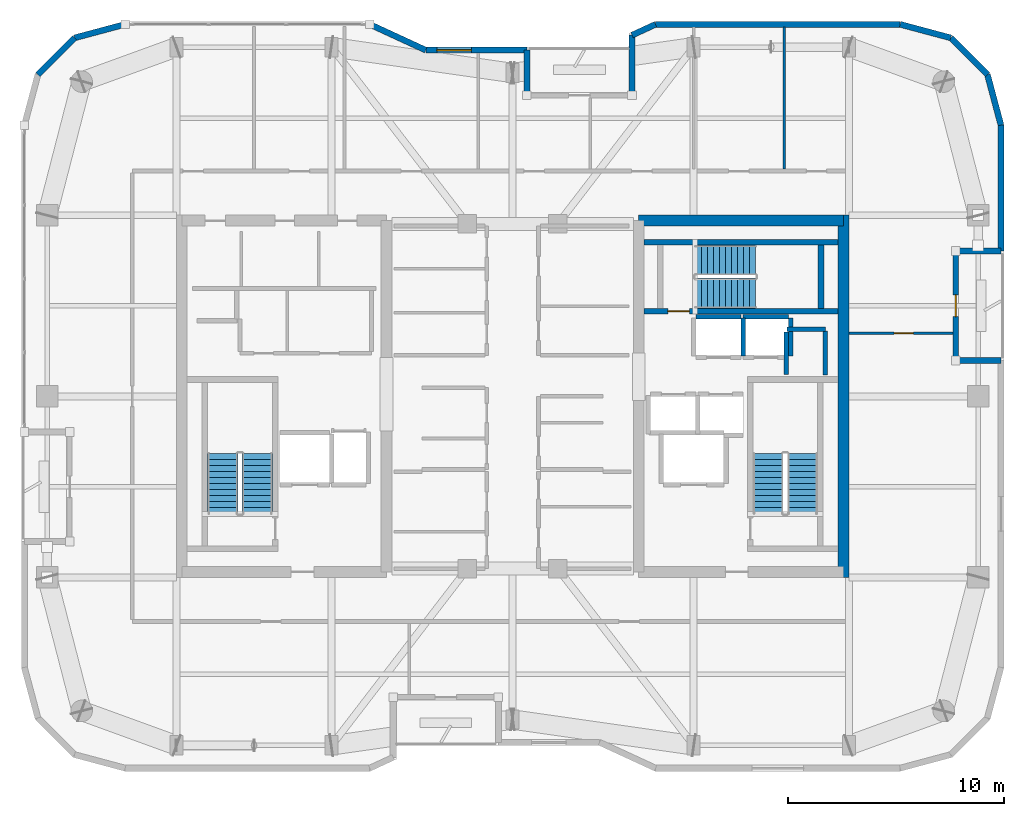
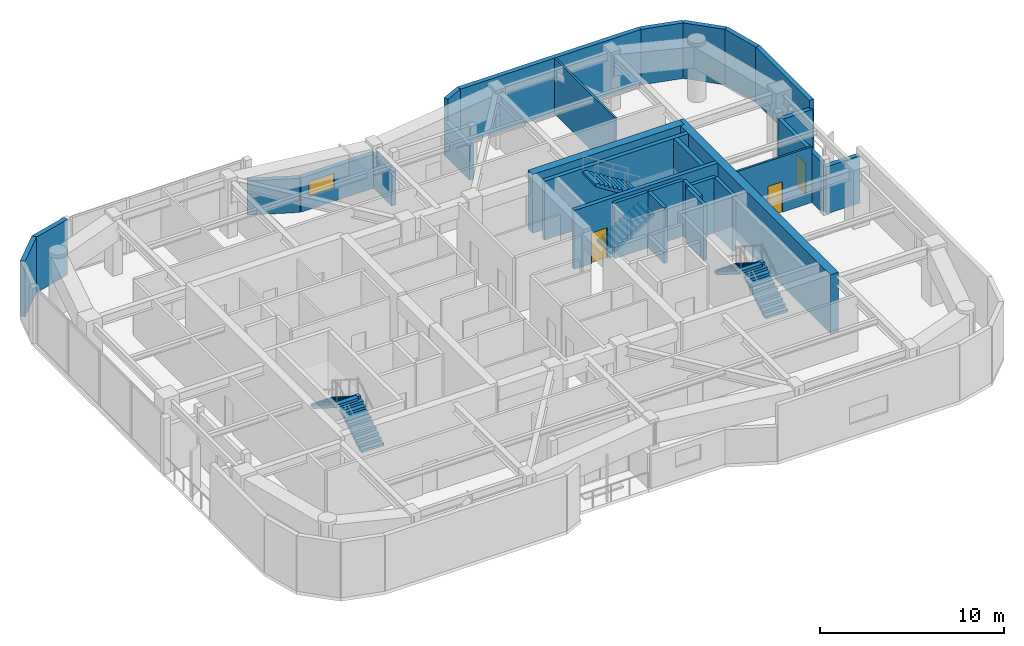
# One storey, part 13 of 15: 29 walls, 6 stair flights, 3 doors, 1 window, 4 openings, 3 elements without a shape of their own.
"""IFC4 building model written with IfcOpenShell, lengths in metres."""

import ifcopenshell
import ifcopenshell.guid

model = None  # the IFC model being written
_history = None  # IfcOwnerHistory: only IFC2X3 demands one
_inside = {}  # id of a spatial element -> (the spatial element, [elements in it])
_under = {}  # id of a project, library or spatial element -> (it, [spatial elements below it])
_declared = {}  # id of a project -> (the project, [libraries it declares])
_typed = {}  # id of a type object -> (the type object, [elements of that type])
_made_of = {}  # id of a material, layer set ... -> (it, [elements and type objects made of it])


def new_model(schema):
    """Start an empty IFC model of exactly this schema.

    Asked for "IFC4X3", IfcOpenShell would pick the latest addendum, in which some entities
    have other attributes; the version numbers below select the first issue.
    IFC2X3 requires an IfcOwnerHistory on every rooted entity: one is made here for all.
    """
    global model, _history
    if schema == "IFC4X3":
        model = ifcopenshell.file(schema_version=(4, 3, 0, 0))
    else:
        model = ifcopenshell.file(schema=schema)
    _inside.clear()
    _under.clear()
    _declared.clear()
    _typed.clear()
    _made_of.clear()
    _history = None
    if model.schema == "IFC2X3":
        org = make("IfcOrganization", Name="unknown")
        user = make(
            "IfcPersonAndOrganization",
            ThePerson=make("IfcPerson", FamilyName="unknown"),
            TheOrganization=org,
        )
        app = make(
            "IfcApplication",
            ApplicationDeveloper=org,
            Version="unknown",
            ApplicationFullName="unknown",
            ApplicationIdentifier="unknown",
        )
        _history = make(
            "IfcOwnerHistory",
            OwningUser=user,
            OwningApplication=app,
            ChangeAction="ADDED",
            CreationDate=0,
        )
    return model


def make(cls, **values):
    """One entity of the class cls with the attributes given. An attribute that is None is left unset."""
    return model.create_entity(
        cls, **{name: value for name, value in values.items() if value is not None}
    )


def rooted(cls, **values):
    """An entity with a GlobalId (a new one), such as an element, a storey or a relation."""
    return make(cls, GlobalId=ifcopenshell.guid.new(), OwnerHistory=_history, **values)


def si_unit(unit_type, name, prefix=None):
    """IfcSIUnit, for example si_unit("LENGTHUNIT", "METRE", prefix="MILLI")."""
    return make("IfcSIUnit", UnitType=unit_type, Prefix=prefix, Name=name)


def assignment(units):
    """IfcUnitAssignment: the units of a project."""
    return None if units is None else make("IfcUnitAssignment", Units=units)


def point(xyz):
    """IfcCartesianPoint."""
    return None if xyz is None else make("IfcCartesianPoint", Coordinates=xyz)


def direction(xyz):
    """IfcDirection."""
    return None if xyz is None else make("IfcDirection", DirectionRatios=xyz)


def frame(location, z_axis=None, x_axis=None):
    """IfcAxis2Placement3D, a coordinate frame: its origin and axes. An axis left out is left unset."""
    return make(
        "IfcAxis2Placement3D",
        Location=point(location),
        Axis=direction(z_axis),
        RefDirection=direction(x_axis),
    )


def frame_2d(location, x_axis=None):
    """IfcAxis2Placement2D, a coordinate frame in the plane: its origin and x axis."""
    return make(
        "IfcAxis2Placement2D", Location=point(location), RefDirection=direction(x_axis)
    )


def origin():
    """The frame at (0, 0, 0) with its axes left unset."""
    return frame((0.0, 0.0, 0.0))


def place(relative_to, where):
    """IfcLocalPlacement: puts the frame where relative to a parent placement (None: the world)."""
    return make(
        "IfcLocalPlacement", PlacementRelTo=relative_to, RelativePlacement=where
    )


def context(
    kind, dimensions, precision=None, world=None, true_north=None, identifier=None
):
    """IfcGeometricRepresentationContext, for example the 3D "Model" context."""
    return make(
        "IfcGeometricRepresentationContext",
        ContextIdentifier=identifier,
        ContextType=kind,
        CoordinateSpaceDimension=dimensions,
        Precision=precision,
        WorldCoordinateSystem=world,
        TrueNorth=true_north,
    )


def subcontext(parent, identifier, kind, view, scale=None):
    """IfcGeometricRepresentationSubContext, for example "Body" below "Model"."""
    return make(
        "IfcGeometricRepresentationSubContext",
        ContextIdentifier=identifier,
        ContextType=kind,
        ParentContext=parent,
        TargetScale=scale,
        TargetView=view,
    )


def project(units=None, contexts=None):
    """IfcProject with its units and contexts."""
    return rooted(
        "IfcProject",
        Name="project",
        RepresentationContexts=contexts,
        UnitsInContext=assignment(units),
    )


def spatial(cls, under=None, at=None, **own):
    """A site, building, storey or space (cls), placed at a placement, below another one or the project."""
    s = rooted(cls, ObjectPlacement=at, **own)
    if under is not None:
        _under.setdefault(under.id(), (under, []))[1].append(s)
    return s


def polyline(points):
    """IfcPolyline through the points."""
    return make("IfcPolyline", Points=[point(p) for p in points])


def profile(cls, at=None, kind="AREA", **sizes):
    """A parametric profile (cls). Its sizes go by their IFC names, for example OverallWidth=200.0."""
    return make(cls, ProfileType=kind, Position=at, **sizes)


def rectangle(**sizes):
    """IfcRectangleProfileDef."""
    return profile("IfcRectangleProfileDef", **sizes)


def outline(outer, holes=None, kind="AREA"):
    """IfcArbitraryClosedProfileDef: a profile drawn as a closed curve; with holes, ...WithVoids."""
    if holes is None:
        return make("IfcArbitraryClosedProfileDef", ProfileType=kind, OuterCurve=outer)
    return make(
        "IfcArbitraryProfileDefWithVoids",
        ProfileType=kind,
        OuterCurve=outer,
        InnerCurves=holes,
    )


def extrude(swept, where, along, depth):
    """IfcExtrudedAreaSolid: the profile swept, set in the frame where, extruded along a direction by depth."""
    return make(
        "IfcExtrudedAreaSolid",
        SweptArea=swept,
        Position=where,
        ExtrudedDirection=direction(along),
        Depth=depth,
    )


def shape(context_of_items, identifier, shape_type, items):
    """IfcShapeRepresentation: the items that make up one representation, for example the "Body"."""
    return make(
        "IfcShapeRepresentation",
        ContextOfItems=context_of_items,
        RepresentationIdentifier=identifier,
        RepresentationType=shape_type,
        Items=items,
    )


def material(Name=None, Category=None):
    """IfcMaterial."""
    return make("IfcMaterial", Name=Name, Category=Category)


def layer(
    of_material, thickness, ventilated=None, Name=None, Category=None, Priority=None
):
    """IfcMaterialLayer: one layer of a wall or slab, of a material (None: an air gap)."""
    return make(
        "IfcMaterialLayer",
        Material=of_material,
        LayerThickness=thickness,
        IsVentilated=ventilated,
        Name=Name,
        Category=Category,
        Priority=Priority,
    )


def layer_set(layers, Name=None):
    """IfcMaterialLayerSet."""
    return make("IfcMaterialLayerSet", MaterialLayers=layers, LayerSetName=Name)


def made_of(thing, what):
    """Note that an element or type object is made of a material, layer set ...; save() writes the relation."""
    if what is not None:
        _made_of.setdefault(what.id(), (what, []))[1].append(thing)
    return thing


def type_object(cls, material=None, **own):
    """A type object (cls), such as IfcWallType, which elements share."""
    return made_of(rooted(cls, **own), material)


def element(
    cls,
    number,
    at=None,
    inside=None,
    cuts=None,
    type_object=None,
    material=None,
    context=None,
    identifier="Body",
    shape_type=None,
    held_by="IfcProductDefinitionShape",
    body=None,
    shapes=None,
    **own,
):
    """One element of the class cls, such as IfcWall. Its Tag is "e" and its number.

    at: its placement. inside: the storey or other place that contains it. cuts: it is an
    opening in that element (IfcRelVoidsElement). A single representation is given by context,
    identifier, shape_type and body (its items); several are given by shapes. held_by: the class
    of the entity that holds the representations. save() writes the other relations.
    """
    e = rooted(cls, Tag="e%d" % number, ObjectPlacement=at, **own)
    if body is not None:
        shapes = [shape(context, identifier, shape_type, body)]
    if shapes is not None:
        e.Representation = make(held_by, Representations=shapes)
    if inside is not None:
        _inside.setdefault(inside.id(), (inside, []))[1].append(e)
    if cuts is not None:
        rooted(
            "IfcRelVoidsElement", RelatingBuildingElement=cuts, RelatedOpeningElement=e
        )
    if type_object is not None:
        _typed.setdefault(type_object.id(), (type_object, []))[1].append(e)
    return made_of(e, material)


def fill(opening, filler):
    """IfcRelFillsElement: the door or window that sits in an opening."""
    return rooted(
        "IfcRelFillsElement",
        RelatingOpeningElement=opening,
        RelatedBuildingElement=filler,
    )


def aggregate(whole, parts):
    """IfcRelAggregates: a whole, such as a stair, and the parts it consists of."""
    return rooted("IfcRelAggregates", RelatingObject=whole, RelatedObjects=parts)


def save(model, path):
    """Write the relations noted so far, then the file.

    IfcRelAggregates (storeys below a building ...), IfcRelContainedInSpatialStructure (elements
    in a storey), IfcRelDefinesByType, IfcRelAssociatesMaterial and IfcRelDeclares: one each for
    every whole, place, type object, material and project.
    """
    for whole, parts in _under.values():
        aggregate(whole, parts)
    for where, things in _inside.values():
        rooted(
            "IfcRelContainedInSpatialStructure",
            RelatedElements=things,
            RelatingStructure=where,
        )
    for kind, things in _typed.values():
        rooted("IfcRelDefinesByType", RelatedObjects=things, RelatingType=kind)
    for what, things in _made_of.values():
        rooted("IfcRelAssociatesMaterial", RelatedObjects=things, RelatingMaterial=what)
    for by, libraries in _declared.values():
        rooted("IfcRelDeclares", RelatingContext=by, RelatedDefinitions=libraries)
    model.write(path)


model = new_model("IFC4")

# Units and contexts
model_context = context("Model", 3, precision=1e-05, world=origin(), true_north=direction((0.0, 1.0)))
body_context = subcontext(model_context, "Body", "Model", "MODEL_VIEW")
ifc_project = project(units=[si_unit("LENGTHUNIT", "METRE"), si_unit("AREAUNIT", "SQUARE_METRE"), si_unit("VOLUMEUNIT", "CUBIC_METRE"), si_unit("PLANEANGLEUNIT", "RADIAN"), si_unit("MASSUNIT", "GRAM", prefix="KILO")], contexts=[model_context])

# Site, building, storey
site_placement = place(None, origin())
site = spatial("IfcSite", under=ifc_project, at=site_placement, CompositionType="ELEMENT")
building_placement = place(site_placement, origin())
building = spatial("IfcBuilding", under=site, at=building_placement, Name="Kiyonajd Concourse Tower", CompositionType="ELEMENT")
storey_placement = place(building_placement, frame((0.0, 0.0, 270.60009765625)))
storey = spatial("IfcBuildingStorey", under=building, at=storey_placement, Name="L68", CompositionType="ELEMENT", Elevation=270.60009765625)

# Walls
ifc_material_1 = material(Name="Concrete C60/75", Category="concrete")
ifc_layer_1 = layer(ifc_material_1, 0.5)
ifc_layer_set_1 = layer_set([ifc_layer_1], Name="Concrete C60/75")
wall_type_1 = type_object("IfcWallType", Name="WL-CORE-500", PredefinedType="SHEAR", material=ifc_layer_set_1)
wall_1_placement = place(storey_placement, frame((63.35009765625, 27.60009765625, 0.0), z_axis=(0.0, 0.0, 1.0), x_axis=(0.0, 1.0, 0.0)))
element("IfcWall", 1, at=wall_1_placement, inside=storey, type_object=wall_type_1, Name="L68 East Core Outer Shear Wall", PredefinedType="SHEAR", context=body_context, shape_type="SweptSolid", body=[
    extrude(rectangle(XDim=16.7998046875, YDim=0.5, at=frame_2d((8.39990234375, 0.0))), origin(), (0.0, 0.0, 1.0), 3.89990234375),
])
wall_2_placement = place(storey_placement, frame((53.85009765625, 44.14990234375, 0.0), z_axis=(0.0, 0.0, 1.0), x_axis=(1.0, 0.0, 0.0)))
element("IfcWall", 2, at=wall_2_placement, inside=storey, type_object=wall_type_1, Name="L68 East Core North Shear Wall", PredefinedType="SHEAR", context=body_context, shape_type="SweptSolid", body=[
    extrude(rectangle(XDim=9.5, YDim=0.5, at=frame_2d((4.75, 0.0))), origin(), (0.0, 0.0, 1.0), 3.89990234375),
])
ifc_material_2 = material(Name="Precast concrete C50/60", Category="concrete")
ifc_layer_2 = layer(ifc_material_2, 0.280029296875)
ifc_layer_set_2 = layer_set([ifc_layer_2], Name="Precast concrete C50/60")
wall_type_2 = type_object("IfcWallType", Name="WL-EXT-280", PredefinedType="SOLIDWALL", material=ifc_layer_set_2)
wall_3_placement = place(storey_placement, frame((25.968505859375, 50.927490234375, 0.0), z_axis=(0.0, 0.0, 1.0), x_axis=(0.707106781187, 0.707106781187, 0.0)))
element("IfcWall", 3, at=wall_3_placement, inside=storey, type_object=wall_type_2, Name="L68 Exterior Concrete Frame Wall 07", PredefinedType="SOLIDWALL", context=body_context, shape_type="SweptSolid", body=[
    extrude(rectangle(XDim=2.409912109375, YDim=0.280029296875, at=frame_2d((1.205078125, 0.0))), origin(), (0.0, 0.0, 1.0), 3.679931640625),
])
wall_4_placement = place(storey_placement, frame((27.672607421875, 52.631591796875, 0.0), z_axis=(0.0, 0.0, 1.0), x_axis=(0.965937282298, 0.25877628691, 0.0)))
element("IfcWall", 4, at=wall_4_placement, inside=storey, type_object=wall_type_2, Name="L68 Exterior Concrete Frame Wall 08", PredefinedType="SOLIDWALL", context=body_context, shape_type="SweptSolid", body=[
    extrude(rectangle(XDim=2.428466796875, YDim=0.280029296875, at=frame_2d((1.21435546875, 0.0))), origin(), (0.0, 0.0, 1.0), 3.679931640625),
])
wall_5_placement = place(storey_placement, frame((41.369384765625, 53.260009765625, 0.0), z_axis=(0.0, 0.0, 1.0), x_axis=(0.907956889006, -0.419063584324, 0.0)))
element("IfcWall", 5, at=wall_5_placement, inside=storey, type_object=wall_type_2, Name="L68 Exterior Concrete Frame Wall 10", PredefinedType="SOLIDWALL", context=body_context, shape_type="SweptSolid", body=[
    extrude(rectangle(XDim=2.863525390625, YDim=0.280029296875, at=frame_2d((1.431640625, 0.0))), origin(), (0.0, 0.0, 1.0), 2.264892578125),
])

# Wall, opening, window
wall_6_placement = place(storey_placement, frame((43.96923828125, 52.06005859375, 0.0), z_axis=(0.0, 0.0, 1.0), x_axis=(1.0, 0.0, 0.0)))
wall_6 = element("IfcWall", 6, at=wall_6_placement, inside=storey, type_object=wall_type_2, Name="L68 Exterior Concrete Frame Wall 11", PredefinedType="SOLIDWALL", context=body_context, shape_type="SweptSolid", body=[
    extrude(rectangle(XDim=4.690673828125, YDim=0.280029296875, at=frame_2d((2.34521484375, 0.0))), origin(), (0.0, 0.0, 1.0), 2.264892578125),
])
opening_1_placement = place(wall_6_placement, frame((0.510009765625, 0.0, 0.85009765625)))
opening_1 = element("IfcOpeningElement", 7, at=opening_1_placement, cuts=wall_6, Name="Opening WN6", PredefinedType="OPENING", context=body_context, shape_type="SweptSolid", body=[
    extrude(rectangle(XDim=1.60009765625, YDim=1.0, at=frame_2d((0.800048828125, 0.5))), frame((0.0, 0.14990234375, 0.0), z_axis=(0.0, -1.0, 0.0), x_axis=(1.0, 0.0, 0.0)), (0.0, 0.0, 1.0), 0.300048828125),
])
ifc_material_3 = material(Name="Double Low-E Insulated Glass", Category="glass")
window_type = type_object("IfcWindowType", Name="WN-VIS-1600x1000", PartitioningType="SINGLE_PANEL", PredefinedType="WINDOW", material=ifc_material_3)
window_placement = place(opening_1_placement, origin())
window = element("IfcWindow", 8, at=window_placement, inside=storey, type_object=window_type, Name="L68 Modular Facade Vision Window 11", OverallHeight=1.0, OverallWidth=1.60009765625, PartitioningType="SINGLE_PANEL", PredefinedType="WINDOW", context=body_context, shape_type="SweptSolid", body=[
    extrude(rectangle(XDim=1.60009765625, YDim=1.0, at=frame_2d((0.800048828125, 0.5))), frame((0.0, 0.030029296875, 0.0), z_axis=(0.0, -1.0, 0.0), x_axis=(1.0, 0.0, 0.0)), (0.0, 0.0, 1.0), 0.06005859375),
])
fill(opening_1, window)

# Walls
wall_7_placement = place(storey_placement, frame((48.659912109375, 52.06005859375, 0.0), z_axis=(0.0, 0.0, 1.0), x_axis=(0.0, -1.0, 0.0)))
element("IfcWall", 9, at=wall_7_placement, inside=storey, type_object=wall_type_2, Name="L68 Exterior Concrete Frame Wall 12", PredefinedType="SOLIDWALL", context=body_context, shape_type="SweptSolid", body=[
    extrude(rectangle(XDim=2.10009765625, YDim=0.280029296875, at=frame_2d((1.050048828125, 0.0))), origin(), (0.0, 0.0, 1.0), 2.264892578125),
])
wall_8_placement = place(storey_placement, frame((53.5400390625, 49.9599609375, 0.0), z_axis=(0.0, 0.0, 1.0), x_axis=(0.0, 1.0, 0.0)))
element("IfcWall", 10, at=wall_8_placement, inside=storey, type_object=wall_type_2, Name="L68 Exterior Concrete Frame Wall 14", PredefinedType="SOLIDWALL", context=body_context, shape_type="SweptSolid", body=[
    extrude(rectangle(XDim=2.79638671875, YDim=0.280029296875, at=frame_2d((1.398193359375, 0.0))), origin(), (0.0, 0.0, 1.0), 2.264892578125),
])
wall_9_placement = place(storey_placement, frame((53.5400390625, 52.75634765625, 0.0), z_axis=(0.0, 0.0, 1.0), x_axis=(0.907893953211, 0.419199916176, 0.0)))
element("IfcWall", 11, at=wall_9_placement, inside=storey, type_object=wall_type_2, Name="L68 Exterior Concrete Frame Wall 15", PredefinedType="SOLIDWALL", context=body_context, shape_type="SweptSolid", body=[
    extrude(rectangle(XDim=1.201416015625, YDim=0.280029296875, at=frame_2d((0.6005859375, 0.0))), origin(), (0.0, 0.0, 1.0), 3.679931640625),
])
wall_10_placement = place(storey_placement, frame((54.630859375, 53.260009765625, 0.0), z_axis=(0.0, 0.0, 1.0), x_axis=(1.0, 0.0, 0.0)))
element("IfcWall", 12, at=wall_10_placement, inside=storey, type_object=wall_type_2, Name="L68 Exterior Concrete Frame Wall 16", PredefinedType="SOLIDWALL", context=body_context, shape_type="SweptSolid", body=[
    extrude(rectangle(XDim=11.350830078125, YDim=0.280029296875, at=frame_2d((5.67529296875, 0.0))), origin(), (0.0, 0.0, 1.0), 3.679931640625),
])
wall_11_placement = place(storey_placement, frame((65.981689453125, 53.260009765625, 0.0), z_axis=(0.0, 0.0, 1.0), x_axis=(0.965937282298, -0.25877628691, 0.0)))
element("IfcWall", 13, at=wall_11_placement, inside=storey, type_object=wall_type_2, Name="L68 Exterior Concrete Frame Wall 17", PredefinedType="SOLIDWALL", context=body_context, shape_type="SweptSolid", body=[
    extrude(rectangle(XDim=2.428466796875, YDim=0.280029296875, at=frame_2d((1.21435546875, 0.0))), origin(), (0.0, 0.0, 1.0), 3.679931640625),
])
wall_12_placement = place(storey_placement, frame((68.327392578125, 52.631591796875, 0.0), z_axis=(0.0, 0.0, 1.0), x_axis=(0.707106781187, -0.707106781187, 0.0)))
element("IfcWall", 14, at=wall_12_placement, inside=storey, type_object=wall_type_2, Name="L68 Exterior Concrete Frame Wall 18", PredefinedType="SOLIDWALL", context=body_context, shape_type="SweptSolid", body=[
    extrude(rectangle(XDim=2.409912109375, YDim=0.280029296875, at=frame_2d((1.205078125, 0.0))), origin(), (0.0, 0.0, 1.0), 3.679931640625),
])
wall_13_placement = place(storey_placement, frame((70.031494140625, 50.927490234375, 0.0), z_axis=(0.0, 0.0, 1.0), x_axis=(0.258751159445, -0.965944013639, 0.0)))
element("IfcWall", 15, at=wall_13_placement, inside=storey, type_object=wall_type_2, Name="L68 Exterior Concrete Frame Wall 19", PredefinedType="SOLIDWALL", context=body_context, shape_type="SweptSolid", body=[
    extrude(rectangle(XDim=2.4287109375, YDim=0.280029296875, at=frame_2d((1.21435546875, 0.0))), origin(), (0.0, 0.0, 1.0), 3.679931640625),
])
wall_14_placement = place(storey_placement, frame((70.659912109375, 48.58154296875, 0.0), z_axis=(0.0, 0.0, 1.0), x_axis=(0.0, -1.0, 0.0)))
element("IfcWall", 16, at=wall_14_placement, inside=storey, type_object=wall_type_2, Name="L68 Exterior Concrete Frame Wall 20", PredefinedType="SOLIDWALL", context=body_context, shape_type="SweptSolid", body=[
    extrude(rectangle(XDim=5.841552734375, YDim=0.280029296875, at=frame_2d((2.9208984375, 0.0))), origin(), (0.0, 0.0, 1.0), 3.679931640625),
])
for number, where, z_axis, x_axis, name in (
    (17, (70.659912109375, 42.739990234375, 0.0), (0.0, 0.0, 1.0), (-1.0, 0.0, 0.0), "L68 Exterior Concrete Frame Wall 21"),
    (18, (68.56005859375, 37.659912109375, 0.0), (0.0, 0.0, 1.0), (1.0, 0.0, 0.0), "L68 Exterior Concrete Frame Wall 23"),
):
    element("IfcWall", number, at=place(storey_placement, frame(where, z_axis=z_axis, x_axis=x_axis)), inside=storey, type_object=wall_type_2, Name=name, PredefinedType="SOLIDWALL", context=body_context, shape_type="SweptSolid", body=[
        extrude(rectangle(XDim=2.099853515625, YDim=0.280029296875, at=frame_2d((1.0498046875, 0.0))), origin(), (0.0, 0.0, 1.0), 3.1259765625),
    ])

# Wall, opening, door
ifc_layer_3 = layer(ifc_material_2, 0.239990234375)
ifc_layer_set_3 = layer_set([ifc_layer_3], Name="Precast concrete C50/60")
wall_type_3 = type_object("IfcWallType", Name="WL-LOG-240", PredefinedType="SOLIDWALL", material=ifc_layer_set_3)
wall_15_placement = place(storey_placement, frame((68.56005859375, 42.544921875, 0.0), z_axis=(0.0, 0.0, 1.0), x_axis=(0.0, -1.0, 0.0)))
wall_15 = element("IfcWall", 19, at=wall_15_placement, inside=storey, type_object=wall_type_3, Name="L68 Recessed Loggia Thermal Wall LOG-E", PredefinedType="SOLIDWALL", context=body_context, shape_type="SweptSolid", body=[
    extrude(rectangle(XDim=4.68994140625, YDim=0.239990234375, at=frame_2d((2.344970703125, 0.0))), origin(), (0.0, 0.0, 1.0), 3.310791015625),
])
opening_2_placement = place(wall_15_placement, frame((1.844970703125, 0.0, 0.0)))
opening_2 = element("IfcOpeningElement", 20, at=opening_2_placement, cuts=wall_15, Name="Opening DL1", PredefinedType="OPENING", context=body_context, shape_type="SweptSolid", body=[
    extrude(rectangle(XDim=1.0, YDim=2.02001953125, at=frame_2d((0.5, 1.010009765625))), frame((0.0, 0.1298828125, 0.0), z_axis=(0.0, -1.0, 0.0), x_axis=(1.0, 0.0, 0.0)), (0.0, 0.0, 1.0), 0.260009765625),
])
ifc_material_4 = material(Name="Thermally Broken Anodised Aluminium", Category="aluminium")
door_type_1 = type_object("IfcDoorType", Name="DR-LOG-1000", OperationType="NOTDEFINED", PredefinedType="DOOR", material=ifc_material_4)
door_1_placement = place(opening_2_placement, origin())
door_1 = element("IfcDoor", 21, at=door_1_placement, inside=storey, type_object=door_type_1, Name="L68 Engawa Loggia Access Door LOG-E", OperationType="SINGLE_SWING_LEFT", OverallHeight=2.02001953125, OverallWidth=1.0, PredefinedType="DOOR", context=body_context, shape_type="SweptSolid", body=[
    extrude(rectangle(XDim=1.0, YDim=2.02001953125, at=frame_2d((0.5, 1.010009765625))), frame((0.0, 0.02490234375, 0.0), z_axis=(0.0, -1.0, 0.0), x_axis=(1.0, 0.0, 0.0)), (0.0, 0.0, 1.0), 0.050048828125),
])
fill(opening_2, door_1)

# Wall
ifc_material_5 = material(Name="Gypsum Board on Cold-Formed Steel Stud", Category="steel")
ifc_layer_4 = layer(ifc_material_5, 0.125)
ifc_layer_set_4 = layer_set([ifc_layer_4], Name="Gypsum Board on Cold-Formed Steel Stud")
wall_type_4 = type_object("IfcWallType", Name="WL-PART-125", PredefinedType="PARTITIONING", material=ifc_layer_set_4)
wall_16_placement = place(storey_placement, frame((60.60009765625, 46.537109375, 0.0), z_axis=(0.0, 0.0, 1.0), x_axis=(0.0, 1.0, 0.0)))
element("IfcWall", 22, at=wall_16_placement, inside=storey, type_object=wall_type_4, Name="L68 Interior Partition Wall", PredefinedType="PARTITIONING", context=body_context, shape_type="SweptSolid", body=[
    extrude(rectangle(XDim=6.587890625, YDim=0.125, at=frame_2d((3.2939453125, 0.0))), origin(), (0.0, 0.0, 1.0), 3.679931640625),
])

# Wall, opening, door
wall_17_placement = place(storey_placement, frame((63.60009765625, 38.929931640625, 0.0), z_axis=(0.0, 0.0, 1.0), x_axis=(1.0, 0.0, 0.0)))
wall_17 = element("IfcWall", 23, at=wall_17_placement, inside=storey, type_object=wall_type_4, Name="L68 Interior Partition Wall", PredefinedType="PARTITIONING", context=body_context, shape_type="SweptSolid", body=[
    extrude(rectangle(XDim=4.844970703125, YDim=0.125, at=frame_2d((2.42236328125, 0.0))), origin(), (0.0, 0.0, 1.0), 3.679931640625),
])
opening_3_placement = place(wall_17_placement, frame((2.10009765625, 0.0, 0.0)))
opening_3 = element("IfcOpeningElement", 24, at=opening_3_placement, cuts=wall_17, Name="Opening DI2", PredefinedType="OPENING", context=body_context, shape_type="SweptSolid", body=[
    extrude(rectangle(XDim=0.89990234375, YDim=2.02001953125, at=frame_2d((0.449951171875, 1.010009765625))), frame((0.0, 0.072509765625, 0.0), z_axis=(0.0, -1.0, 0.0), x_axis=(1.0, 0.0, 0.0)), (0.0, 0.0, 1.0), 0.14501953125),
])
ifc_material_6 = material(Name="Natural Oak Acoustic Timber Veneer", Category="wood")
door_type_2 = type_object("IfcDoorType", Name="DR-INT-900", OperationType="NOTDEFINED", PredefinedType="DOOR", material=ifc_material_6)
door_2_placement = place(opening_3_placement, origin())
door_2 = element("IfcDoor", 25, at=door_2_placement, inside=storey, type_object=door_type_2, Name="L68 Interior Door", OperationType="SINGLE_SWING_LEFT", OverallHeight=2.02001953125, OverallWidth=0.89990234375, PredefinedType="DOOR", context=body_context, shape_type="SweptSolid", body=[
    extrude(rectangle(XDim=0.89990234375, YDim=2.02001953125, at=frame_2d((0.449951171875, 1.010009765625))), frame((0.0, 0.02490234375, 0.0), z_axis=(0.0, -1.0, 0.0), x_axis=(1.0, 0.0, 0.0)), (0.0, 0.0, 1.0), 0.050048828125),
])
fill(opening_3, door_2)

# Walls
ifc_layer_5 = layer(ifc_material_5, 0.2099609375)
ifc_layer_set_5 = layer_set([ifc_layer_5], Name="Gypsum Board on Cold-Formed Steel Stud")
wall_type_5 = type_object("IfcWallType", Name="WL-SHAFT-210", PredefinedType="PARTITIONING", material=ifc_layer_set_5)
wall_18_placement = place(storey_placement, frame((60.719970703125, 39.10009765625, 0.0), z_axis=(0.0, 0.0, 1.0), x_axis=(1.0, 0.0, 0.0)))
element("IfcWall", 26, at=wall_18_placement, inside=storey, type_object=wall_type_5, Name="L68 Shaft Enclosure Wall", PredefinedType="PARTITIONING", context=body_context, shape_type="SweptSolid", body=[
    extrude(rectangle(XDim=1.800048828125, YDim=0.2099609375, at=frame_2d((0.89990234375, 0.0))), origin(), (0.0, 0.0, 1.0), 3.679931640625),
])
wall_19_placement = place(storey_placement, frame((60.699951171875, 37.02001953125, 0.0), z_axis=(0.0, 0.0, 1.0), x_axis=(0.0, 1.0, 0.0)))
element("IfcWall", 27, at=wall_19_placement, inside=storey, type_object=wall_type_5, Name="L68 Shaft Enclosure Wall", PredefinedType="PARTITIONING", context=body_context, shape_type="SweptSolid", body=[
    extrude(rectangle(XDim=1.9599609375, YDim=0.2099609375, at=frame_2d((0.97998046875, 0.0))), origin(), (0.0, 0.0, 1.0), 3.679931640625),
])
wall_20_placement = place(storey_placement, frame((62.5, 36.97998046875, 0.0), z_axis=(0.0, 0.0, 1.0), x_axis=(0.0, 1.0, 0.0)))
element("IfcWall", 28, at=wall_20_placement, inside=storey, type_object=wall_type_5, Name="L68 Shaft Enclosure Wall", PredefinedType="PARTITIONING", context=body_context, shape_type="SweptSolid", body=[
    extrude(rectangle(XDim=2.0400390625, YDim=0.2099609375, at=frame_2d((1.02001953125, 0.0))), origin(), (0.0, 0.0, 1.0), 3.679931640625),
])
wall_21_placement = place(storey_placement, frame((56.5, 39.699951171875, 0.0), z_axis=(0.0, 0.0, 1.0), x_axis=(1.0, 0.0, 0.0)))
element("IfcWall", 29, at=wall_21_placement, inside=storey, type_object=wall_type_5, Name="L68 Shaft Enclosure Wall", PredefinedType="PARTITIONING", context=body_context, shape_type="SweptSolid", body=[
    extrude(rectangle(XDim=2.10009765625, YDim=0.2099609375, at=frame_2d((1.050048828125, 0.0))), origin(), (0.0, 0.0, 1.0), 3.679931640625),
])
wall_22_placement = place(storey_placement, frame((58.699951171875, 37.860107421875, 0.0), z_axis=(0.0, 0.0, 1.0), x_axis=(0.0, 1.0, 0.0)))
element("IfcWall", 30, at=wall_22_placement, inside=storey, type_object=wall_type_5, Name="L68 Shaft Enclosure Wall", PredefinedType="PARTITIONING", context=body_context, shape_type="SweptSolid", body=[
    extrude(rectangle(XDim=1.77978515625, YDim=0.2099609375, at=frame_2d((0.889892578125, 0.0))), origin(), (0.0, 0.0, 1.0), 3.679931640625),
])
wall_23_placement = place(storey_placement, frame((58.699951171875, 39.699951171875, 0.0), z_axis=(0.0, 0.0, 1.0), x_axis=(1.0, 0.0, 0.0)))
element("IfcWall", 31, at=wall_23_placement, inside=storey, type_object=wall_type_5, Name="L68 Shaft Enclosure Wall", PredefinedType="PARTITIONING", context=body_context, shape_type="SweptSolid", body=[
    extrude(rectangle(XDim=2.10009765625, YDim=0.2099609375, at=frame_2d((1.050048828125, 0.0))), origin(), (0.0, 0.0, 1.0), 3.679931640625),
])
wall_24_placement = place(storey_placement, frame((60.89990234375, 37.860107421875, 0.0), z_axis=(0.0, 0.0, 1.0), x_axis=(0.0, 1.0, 0.0)))
element("IfcWall", 32, at=wall_24_placement, inside=storey, type_object=wall_type_5, Name="L68 Shaft Enclosure Wall", PredefinedType="PARTITIONING", context=body_context, shape_type="SweptSolid", body=[
    extrude(rectangle(XDim=1.77978515625, YDim=0.2099609375, at=frame_2d((0.889892578125, 0.0))), origin(), (0.0, 0.0, 1.0), 3.679931640625),
])

# Wall, opening, door
ifc_material_7 = material(Name="Concrete C50/60", Category="concrete")
ifc_layer_6 = layer(ifc_material_7, 0.260009765625)
ifc_layer_set_6 = layer_set([ifc_layer_6], Name="Concrete C50/60")
wall_type_6 = type_object("IfcWallType", Name="WL-STAIR-260", PredefinedType="SHEAR", material=ifc_layer_set_6)
wall_25_placement = place(storey_placement, frame((54.10009765625, 39.949951171875, 0.0), z_axis=(0.0, 0.0, 1.0), x_axis=(1.0, 0.0, 0.0)))
wall_25 = element("IfcWall", 33, at=wall_25_placement, inside=storey, type_object=wall_type_6, Name="L68 Stair ST3 Structural South Wall", PredefinedType="SHEAR", context=body_context, shape_type="SweptSolid", body=[
    extrude(rectangle(XDim=9.0, YDim=0.260009765625, at=frame_2d((4.5, 0.0))), origin(), (0.0, 0.0, 1.0), 3.89990234375),
])
opening_4_placement = place(wall_25_placement, frame((1.10009765625, 0.0, 0.0)))
opening_4 = element("IfcOpeningElement", 34, at=opening_4_placement, cuts=wall_25, Name="Opening DF1", PredefinedType="OPENING", context=body_context, shape_type="SweptSolid", body=[
    extrude(rectangle(XDim=1.0, YDim=2.0400390625, at=frame_2d((0.5, 1.02001953125))), frame((0.0, 0.139892578125, 0.0), z_axis=(0.0, -1.0, 0.0), x_axis=(1.0, 0.0, 0.0)), (0.0, 0.0, 1.0), 0.280029296875),
])
ifc_material_8 = material(Name="Brushed Stainless Steel Cab Assembly", Category="steel")
door_type_3 = type_object("IfcDoorType", Name="DR-FD90-1000", OperationType="NOTDEFINED", PredefinedType="DOOR", material=ifc_material_8)
door_3_placement = place(opening_4_placement, origin())
door_3 = element("IfcDoor", 35, at=door_3_placement, inside=storey, type_object=door_type_3, Name="L68 Stair ST3 Enclosure Door", OperationType="SINGLE_SWING_LEFT", OverallHeight=2.0400390625, OverallWidth=1.0, PredefinedType="DOOR", context=body_context, shape_type="SweptSolid", body=[
    extrude(rectangle(XDim=1.0, YDim=2.0400390625, at=frame_2d((0.5, 1.02001953125))), frame((0.0, 0.02490234375, 0.0), z_axis=(0.0, -1.0, 0.0), x_axis=(1.0, 0.0, 0.0)), (0.0, 0.0, 1.0), 0.050048828125),
])
fill(opening_4, door_3)

# Walls
wall_26_placement = place(storey_placement, frame((54.10009765625, 43.14990234375, 0.0), z_axis=(0.0, 0.0, 1.0), x_axis=(1.0, 0.0, 0.0)))
element("IfcWall", 36, at=wall_26_placement, inside=storey, type_object=wall_type_6, Name="L68 Stair ST3 Structural North Wall", PredefinedType="SHEAR", context=body_context, shape_type="SweptSolid", body=[
    extrude(rectangle(XDim=9.0, YDim=0.260009765625, at=frame_2d((4.5, 0.0))), origin(), (0.0, 0.0, 1.0), 3.89990234375),
])
wall_27_placement = place(storey_placement, frame((62.31005859375, 40.080078125, 0.0), z_axis=(0.0, 0.0, 1.0), x_axis=(0.0, 1.0, 0.0)))
element("IfcWall", 37, at=wall_27_placement, inside=storey, type_object=wall_type_6, Name="L68 Stair ST3 Structural East Wall", PredefinedType="SHEAR", context=body_context, shape_type="SweptSolid", body=[
    extrude(rectangle(XDim=2.93994140625, YDim=0.260009765625, at=frame_2d((1.469970703125, 0.0))), origin(), (0.0, 0.0, 1.0), 3.89990234375),
])

# Stair, stair flights
ifc_material_9 = material(Name="Concrete C40/50", Category="concrete")
stair_type = type_object("IfcStairType", Name="ST-DLG-22R", PredefinedType="HALF_TURN_STAIR", material=ifc_material_9)
stair_1_placement = place(storey_placement, origin())
stair_1 = element("IfcStair", 38, at=stair_1_placement, inside=storey, type_object=stair_type, Name="L68 Protected Exit Stair ST1", PredefinedType="HALF_TURN_STAIR")
stair_flight_type = type_object("IfcStairFlightType", Name="SF-STR-22R", PredefinedType="STRAIGHT", material=ifc_material_9)
stair_flight_1_placement = place(storey_placement, frame((36.14990234375, 30.550048828125, 0.0), z_axis=(0.0, 0.0, 1.0), x_axis=(0.0, 1.0, 0.0)))
stair_flight_1 = element("IfcStairFlight", 39, at=stair_flight_1_placement, type_object=stair_flight_type, Name="ST1 flight 1", NumberOfRisers=11, NumberOfTreads=10, PredefinedType="STRAIGHT", RiserHeight=0.177272727, TreadLength=0.28, context=body_context, shape_type="SweptSolid", body=[
    extrude(outline(polyline([(0.0, 0.0), (0.0, 0.17724609375), (0.280029296875, 0.17724609375), (0.280029296875, 0.3544921875), (0.56005859375, 0.3544921875), (0.56005859375, 0.53173828125), (0.840087890625, 0.53173828125), (0.840087890625, 0.708984375), (1.1201171875, 0.708984375), (1.1201171875, 0.886474609375), (1.39990234375, 0.886474609375), (1.39990234375, 1.063720703125), (1.679931640625, 1.063720703125), (1.679931640625, 1.240966796875), (1.9599609375, 1.240966796875), (1.9599609375, 1.418212890625), (2.239990234375, 1.418212890625), (2.239990234375, 1.595458984375), (2.52001953125, 1.595458984375), (2.52001953125, 1.772705078125), (2.800048828125, 1.772705078125), (2.800048828125, 1.949951171875), (2.800048828125, 1.59521484375), (0.2802734375, 0.0), (0.0, 0.0)])), frame((0.0, 0.699951171875, 0.0), z_axis=(0.0, -1.0, 0.0), x_axis=(1.0, 0.0, 0.0)), (0.0, 0.0, 1.0), 1.39990234375),
])
stair_flight_2_placement = place(storey_placement, frame((34.550048828125, 33.35009765625, 1.949951171875), z_axis=(0.0, 0.0, 1.0), x_axis=(0.0, -1.0, 0.0)))
stair_flight_2 = element("IfcStairFlight", 40, at=stair_flight_2_placement, type_object=stair_flight_type, Name="ST1 flight 2", NumberOfRisers=11, NumberOfTreads=10, PredefinedType="STRAIGHT", RiserHeight=0.177272727, TreadLength=0.28, context=body_context, shape_type="SweptSolid", body=[
    extrude(outline(polyline([(0.0, 0.0), (0.0, 0.17724609375), (0.280029296875, 0.17724609375), (0.280029296875, 0.3544921875), (0.56005859375, 0.3544921875), (0.56005859375, 0.53173828125), (0.840087890625, 0.53173828125), (0.840087890625, 0.708984375), (1.1201171875, 0.708984375), (1.1201171875, 0.886474609375), (1.39990234375, 0.886474609375), (1.39990234375, 1.063720703125), (1.679931640625, 1.063720703125), (1.679931640625, 1.240966796875), (1.9599609375, 1.240966796875), (1.9599609375, 1.418212890625), (2.239990234375, 1.418212890625), (2.239990234375, 1.595458984375), (2.52001953125, 1.595458984375), (2.52001953125, 1.772705078125), (2.800048828125, 1.772705078125), (2.800048828125, 1.949951171875), (2.800048828125, 1.59521484375), (0.2802734375, 0.0), (0.0, 0.0)])), frame((0.0, 0.699951171875, 0.0), z_axis=(0.0, -1.0, 0.0), x_axis=(1.0, 0.0, 0.0)), (0.0, 0.0, 1.0), 1.39990234375),
])
aggregate(stair_1, [stair_flight_1, stair_flight_2])

stair_2_placement = place(storey_placement, origin())
stair_2 = element("IfcStair", 41, at=stair_2_placement, inside=storey, type_object=stair_type, Name="L68 Protected Exit Stair ST2", PredefinedType="HALF_TURN_STAIR")
stair_flight_3_placement = place(storey_placement, frame((61.449951171875, 30.550048828125, 0.0), z_axis=(0.0, 0.0, 1.0), x_axis=(0.0, 1.0, 0.0)))
stair_flight_3 = element("IfcStairFlight", 42, at=stair_flight_3_placement, type_object=stair_flight_type, Name="ST2 flight 1", NumberOfRisers=11, NumberOfTreads=10, PredefinedType="STRAIGHT", RiserHeight=0.177272727, TreadLength=0.28, context=body_context, shape_type="SweptSolid", body=[
    extrude(outline(polyline([(0.0, 0.0), (0.0, 0.17724609375), (0.280029296875, 0.17724609375), (0.280029296875, 0.3544921875), (0.56005859375, 0.3544921875), (0.56005859375, 0.53173828125), (0.840087890625, 0.53173828125), (0.840087890625, 0.708984375), (1.1201171875, 0.708984375), (1.1201171875, 0.886474609375), (1.39990234375, 0.886474609375), (1.39990234375, 1.063720703125), (1.679931640625, 1.063720703125), (1.679931640625, 1.240966796875), (1.9599609375, 1.240966796875), (1.9599609375, 1.418212890625), (2.239990234375, 1.418212890625), (2.239990234375, 1.595458984375), (2.52001953125, 1.595458984375), (2.52001953125, 1.772705078125), (2.800048828125, 1.772705078125), (2.800048828125, 1.949951171875), (2.800048828125, 1.59521484375), (0.2802734375, 0.0), (0.0, 0.0)])), frame((0.0, 0.699951171875, 0.0), z_axis=(0.0, -1.0, 0.0), x_axis=(1.0, 0.0, 0.0)), (0.0, 0.0, 1.0), 1.39990234375),
])
stair_flight_4_placement = place(storey_placement, frame((59.85009765625, 33.35009765625, 1.949951171875), z_axis=(0.0, 0.0, 1.0), x_axis=(0.0, -1.0, 0.0)))
stair_flight_4 = element("IfcStairFlight", 43, at=stair_flight_4_placement, type_object=stair_flight_type, Name="ST2 flight 2", NumberOfRisers=11, NumberOfTreads=10, PredefinedType="STRAIGHT", RiserHeight=0.177272727, TreadLength=0.28, context=body_context, shape_type="SweptSolid", body=[
    extrude(outline(polyline([(0.0, 0.0), (0.0, 0.17724609375), (0.280029296875, 0.17724609375), (0.280029296875, 0.3544921875), (0.56005859375, 0.3544921875), (0.56005859375, 0.53173828125), (0.840087890625, 0.53173828125), (0.840087890625, 0.708984375), (1.1201171875, 0.708984375), (1.1201171875, 0.886474609375), (1.39990234375, 0.886474609375), (1.39990234375, 1.063720703125), (1.679931640625, 1.063720703125), (1.679931640625, 1.240966796875), (1.9599609375, 1.240966796875), (1.9599609375, 1.418212890625), (2.239990234375, 1.418212890625), (2.239990234375, 1.595458984375), (2.52001953125, 1.595458984375), (2.52001953125, 1.772705078125), (2.800048828125, 1.772705078125), (2.800048828125, 1.949951171875), (2.800048828125, 1.59521484375), (0.2802734375, 0.0), (0.0, 0.0)])), frame((0.0, 0.699951171875, 0.0), z_axis=(0.0, -1.0, 0.0), x_axis=(1.0, 0.0, 0.0)), (0.0, 0.0, 1.0), 1.39990234375),
])
aggregate(stair_2, [stair_flight_3, stair_flight_4])

stair_3_placement = place(storey_placement, origin())
stair_3 = element("IfcStair", 44, at=stair_3_placement, inside=storey, type_object=stair_type, Name="L68 Protected Exit Stair ST3", PredefinedType="HALF_TURN_STAIR")
stair_flight_5_placement = place(storey_placement, frame((56.47998046875, 40.780029296875, 0.0), z_axis=(0.0, 0.0, 1.0), x_axis=(1.0, 0.0, 0.0)))
stair_flight_5 = element("IfcStairFlight", 45, at=stair_flight_5_placement, type_object=stair_flight_type, Name="ST3 flight 1", NumberOfRisers=11, NumberOfTreads=10, PredefinedType="STRAIGHT", RiserHeight=0.177272727, TreadLength=0.28, context=body_context, shape_type="SweptSolid", body=[
    extrude(outline(polyline([(0.0, 0.0), (0.0, 0.17724609375), (0.280029296875, 0.17724609375), (0.280029296875, 0.3544921875), (0.56005859375, 0.3544921875), (0.56005859375, 0.53173828125), (0.840087890625, 0.53173828125), (0.840087890625, 0.708984375), (1.1201171875, 0.708984375), (1.1201171875, 0.886474609375), (1.39990234375, 0.886474609375), (1.39990234375, 1.063720703125), (1.679931640625, 1.063720703125), (1.679931640625, 1.240966796875), (1.9599609375, 1.240966796875), (1.9599609375, 1.418212890625), (2.239990234375, 1.418212890625), (2.239990234375, 1.595458984375), (2.52001953125, 1.595458984375), (2.52001953125, 1.772705078125), (2.800048828125, 1.772705078125), (2.800048828125, 1.949951171875), (2.800048828125, 1.59521484375), (0.2802734375, 0.0), (0.0, 0.0)])), frame((0.0, 0.699951171875, 0.0), z_axis=(0.0, -1.0, 0.0), x_axis=(1.0, 0.0, 0.0)), (0.0, 0.0, 1.0), 1.39990234375),
])
stair_flight_6_placement = place(storey_placement, frame((59.280029296875, 42.320068359375, 1.949951171875), z_axis=(0.0, 0.0, 1.0), x_axis=(-1.0, 0.0, 0.0)))
stair_flight_6 = element("IfcStairFlight", 46, at=stair_flight_6_placement, type_object=stair_flight_type, Name="ST3 flight 2", NumberOfRisers=11, NumberOfTreads=10, PredefinedType="STRAIGHT", RiserHeight=0.177272727, TreadLength=0.28, context=body_context, shape_type="SweptSolid", body=[
    extrude(outline(polyline([(0.0, 0.0), (0.0, 0.17724609375), (0.280029296875, 0.17724609375), (0.280029296875, 0.3544921875), (0.56005859375, 0.3544921875), (0.56005859375, 0.53173828125), (0.840087890625, 0.53173828125), (0.840087890625, 0.708984375), (1.1201171875, 0.708984375), (1.1201171875, 0.886474609375), (1.39990234375, 0.886474609375), (1.39990234375, 1.063720703125), (1.679931640625, 1.063720703125), (1.679931640625, 1.240966796875), (1.9599609375, 1.240966796875), (1.9599609375, 1.418212890625), (2.239990234375, 1.418212890625), (2.239990234375, 1.595458984375), (2.52001953125, 1.595458984375), (2.52001953125, 1.772705078125), (2.800048828125, 1.772705078125), (2.800048828125, 1.949951171875), (2.800048828125, 1.59521484375), (0.2802734375, 0.0), (0.0, 0.0)])), frame((0.0, 0.699951171875, 0.0), z_axis=(0.0, -1.0, 0.0), x_axis=(1.0, 0.0, 0.0)), (0.0, 0.0, 1.0), 1.39990234375),
])
aggregate(stair_3, [stair_flight_5, stair_flight_6])

save(model, "model.ifc")
